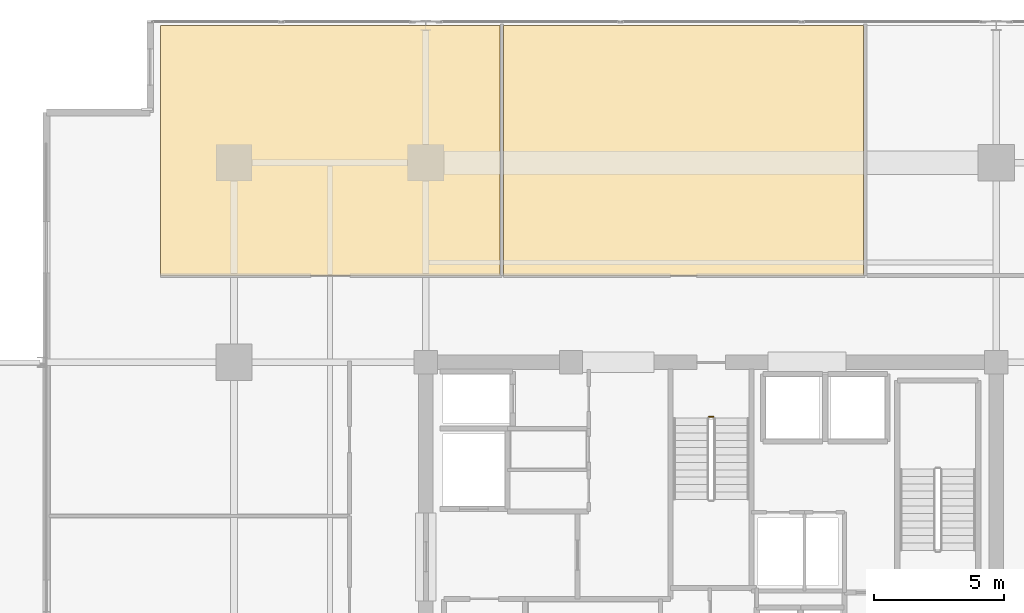
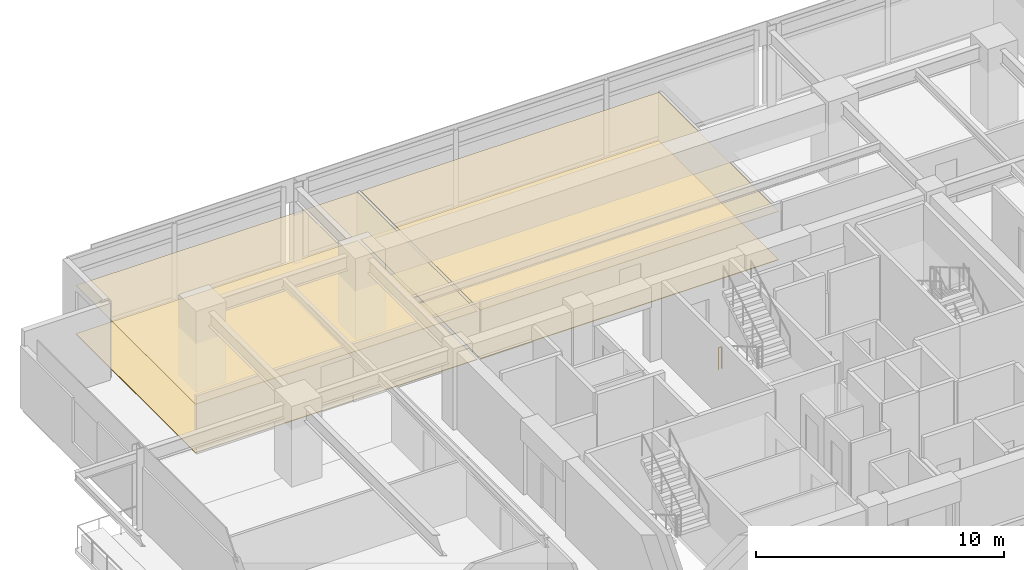
# One storey, part 22 of 23: 4 coverings, 1 railing.
"""IFC4 building model written with IfcOpenShell, lengths in metres."""

from ifc_helpers import new_model, si_unit, direction, frame, origin, origin_2d, place, context, subcontext, project, spatial, polyline, circle, outline, extrude, material, layer, layer_set, type_object, element, save


model = new_model("IFC4")

# Units and contexts
model_context = context("Model", 3, precision=1e-05, world=origin(), true_north=direction((0.0, 1.0)))
body_context = subcontext(model_context, "Body", "Model", "MODEL_VIEW")
ifc_project = project(units=[si_unit("LENGTHUNIT", "METRE"), si_unit("AREAUNIT", "SQUARE_METRE"), si_unit("VOLUMEUNIT", "CUBIC_METRE"), si_unit("PLANEANGLEUNIT", "RADIAN"), si_unit("MASSUNIT", "GRAM", prefix="KILO")], contexts=[model_context])

# Site, building, storey
site_placement = place(None, origin())
site = spatial("IfcSite", under=ifc_project, at=site_placement, CompositionType="ELEMENT")
building_placement = place(site_placement, origin())
building = spatial("IfcBuilding", under=site, at=building_placement, Name="Kovane Verandah Tower", CompositionType="ELEMENT")
storey_placement = place(building_placement, frame((0.0, 0.0, 221.199951171875)))
storey = spatial("IfcBuildingStorey", under=building, at=storey_placement, Name="L51", CompositionType="ELEMENT", Elevation=221.199951171875)

# Coverings
ifc_material_1 = material(Name="Perforated Acoustic Mineral-Fibre Ceiling Tile", Category="gypsum")
ifc_layer_1 = layer(ifc_material_1, 0.02490234375)
ifc_layer_set_1 = layer_set([ifc_layer_1], Name="Perforated Acoustic Mineral-Fibre Ceiling Tile")
covering_type_1 = type_object("IfcCoveringType", Name="CV-CEIL-25", PredefinedType="CEILING", material=ifc_layer_set_1)
covering_1_placement = place(storey_placement, frame((0.0, 0.0, 2.380126953125)))
element("IfcCovering", 1, at=covering_1_placement, inside=storey, type_object=covering_type_1, Name="L51 Client Boardroom N1 Acoustic Ceiling", PredefinedType="CEILING", context=body_context, shape_type="SweptSolid", body=[
    extrude(outline(polyline([(18.768798828125, 39.85009765625), (31.862060546875, 39.85009765625), (31.862060546875, 49.490478515625), (18.768798828125, 49.490478515625), (18.768798828125, 39.85009765625)])), origin(), (0.0, 0.0, 1.0), 0.02490234375),
])
covering_2_placement = place(storey_placement, frame((0.0, 0.0, 2.380126953125)))
element("IfcCovering", 2, at=covering_2_placement, inside=storey, type_object=covering_type_1, Name="L51 Meeting Room N2 Acoustic Ceiling", PredefinedType="CEILING", context=body_context, shape_type="SweptSolid", body=[
    extrude(outline(polyline([(32.002197265625, 39.85009765625), (45.874755859375, 39.85009765625), (45.874755859375, 49.490478515625), (32.002197265625, 49.490478515625), (32.002197265625, 39.85009765625)])), origin(), (0.0, 0.0, 1.0), 0.02490234375),
])
ifc_material_2 = material(Name="Polished Terrazzo and Raised-Access Carpet Tile Finish", Category="concrete")
ifc_layer_2 = layer(ifc_material_2, 0.030029296875)
ifc_layer_set_2 = layer_set([ifc_layer_2], Name="Polished Terrazzo and Raised-Access Carpet Tile Finish")
covering_type_2 = type_object("IfcCoveringType", Name="CV-FLOR-30", PredefinedType="FLOORING", material=ifc_layer_set_2)
covering_3_placement = place(storey_placement, origin())
element("IfcCovering", 3, at=covering_3_placement, inside=storey, type_object=covering_type_2, Name="L51 Client Boardroom N1 Floor Finish", PredefinedType="FLOORING", context=body_context, shape_type="SweptSolid", body=[
    extrude(outline(polyline([(18.768798828125, 39.85009765625), (31.862060546875, 39.85009765625), (31.862060546875, 49.490478515625), (18.768798828125, 49.490478515625), (18.768798828125, 39.85009765625)])), origin(), (0.0, 0.0, 1.0), 0.030029296875),
])
covering_4_placement = place(storey_placement, origin())
element("IfcCovering", 4, at=covering_4_placement, inside=storey, type_object=covering_type_2, Name="L51 Meeting Room N2 Floor Finish", PredefinedType="FLOORING", context=body_context, shape_type="SweptSolid", body=[
    extrude(outline(polyline([(32.002197265625, 39.85009765625), (45.874755859375, 39.85009765625), (45.874755859375, 49.490478515625), (32.002197265625, 49.490478515625), (32.002197265625, 39.85009765625)])), origin(), (0.0, 0.0, 1.0), 0.030029296875),
])

# Railing
ifc_material_3 = material(Name="Painted Steel Stairwell Guardrail", Category="steel")
railing_type = type_object("IfcRailingType", Name="RL-STGUARD-1120", PredefinedType="GUARDRAIL", material=ifc_material_3)
railing_placement = place(storey_placement, frame((39.919921875, 34.39990234375, 0.0)))
element("IfcRailing", 5, at=railing_placement, inside=storey, type_object=railing_type, Name="L51 ST-03 stair guard 4", PredefinedType="GUARDRAIL", context=body_context, shape_type="SweptSolid", body=[
    extrude(circle(Radius=0.02392578125, at=origin_2d()), frame((0.0, 0.0, 1.076171875), z_axis=(1.0, 0.0, 0.0), x_axis=(0.0, 1.0, 0.0)), (0.0, 0.0, 1.0), 0.16015625),
    extrude(circle(Radius=0.02099609375, at=origin_2d()), origin(), (0.0, 0.0, 1.0), 1.052001953125),
    extrude(circle(Radius=0.02099609375, at=origin_2d()), frame((0.16015625, 0.0, 0.0)), (0.0, 0.0, 1.0), 1.052001953125),
])

save(model, "model.ifc")
